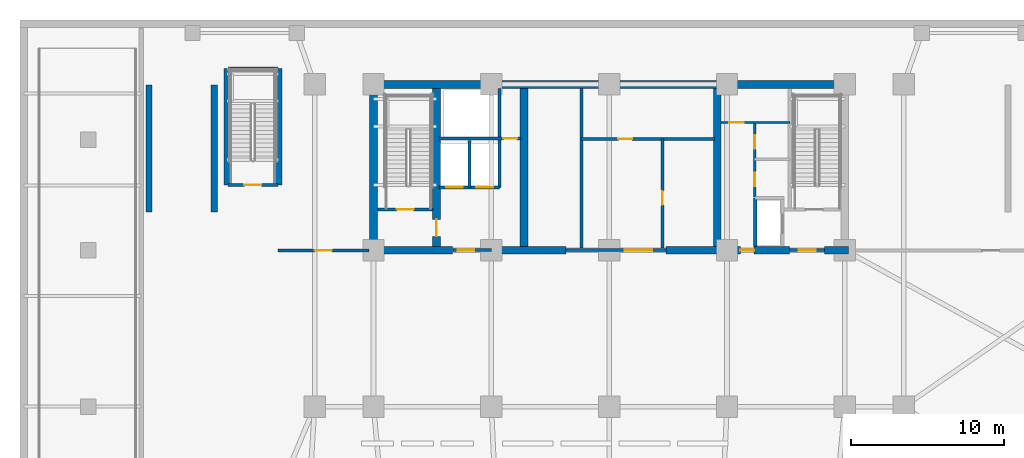
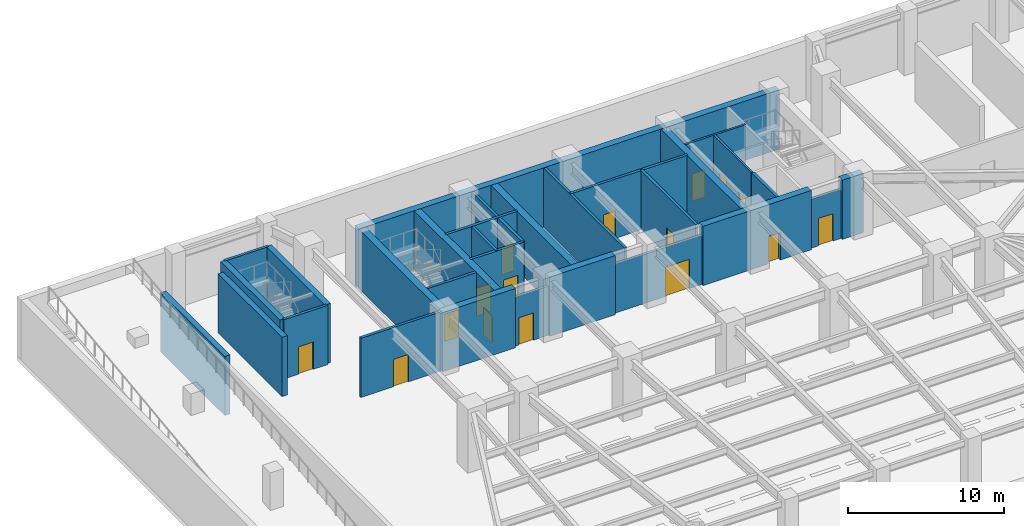
# One storey, part 3 of 8: 30 walls, 16 doors, 16 openings.
"""IFC4 building model written with IfcOpenShell, lengths in metres."""

from ifc_helpers import new_model, si_unit, direction, frame, frame_2d, origin, place, context, subcontext, project, spatial, rectangle, extrude, material, layer, layer_set, type_object, element, fill, save


model = new_model("IFC4")

# Units and contexts
model_context = context("Model", 3, precision=1e-05, world=origin(), true_north=direction((0.0, 1.0)))
body_context = subcontext(model_context, "Body", "Model", "MODEL_VIEW")
ifc_project = project(units=[si_unit("LENGTHUNIT", "METRE"), si_unit("AREAUNIT", "SQUARE_METRE"), si_unit("VOLUMEUNIT", "CUBIC_METRE"), si_unit("PLANEANGLEUNIT", "RADIAN"), si_unit("MASSUNIT", "GRAM", prefix="KILO")], contexts=[model_context])

# Site, building, storey
site_placement = place(None, origin())
site = spatial("IfcSite", under=ifc_project, at=site_placement, CompositionType="ELEMENT")
building_placement = place(site_placement, origin())
building = spatial("IfcBuilding", under=site, at=building_placement, Name="Yelkora Congress Tower", CompositionType="ELEMENT")
storey_placement = place(building_placement, frame((0.0, 0.0, -5.0)))
storey = spatial("IfcBuildingStorey", under=building, at=storey_placement, Name="B01", CompositionType="ELEMENT", Elevation=-5.0)

# Walls
ifc_material_1 = material(Name="Concrete C50/60", Category="concrete")
ifc_layer_1 = layer(ifc_material_1, 0.39990234375)
ifc_layer_set_1 = layer_set([ifc_layer_1], Name="Concrete C50/60")
wall_type_1 = type_object("IfcWallType", Name="WALL-CORE-INT-400", PredefinedType="SHEAR", material=ifc_layer_set_1)
for number, where, z_axis, x_axis, name in (
    (1, (8.39990234375, 37.89990234375, 0.0), (0.0, 0.0, 1.0), (0.0, 1.0, 0.0), "B01 STP1 West Shear Wall"),
    (2, (12.659912109375, 37.89990234375, 0.0), (0.0, 0.0, 1.0), (0.0, 1.0, 0.0), "B01 STP1 East Shear Wall"),
):
    element("IfcWall", number, at=place(storey_placement, frame(where, z_axis=z_axis, x_axis=x_axis)), inside=storey, type_object=wall_type_1, Name=name, PredefinedType="SHEAR", context=body_context, shape_type="SweptSolid", body=[
        extrude(rectangle(XDim=8.25, YDim=0.39990234375, at=frame_2d((4.125, 0.0))), origin(), (0.0, 0.0, 1.0), 4.64990234375),
    ])
for number, where, z_axis, x_axis, name in (
    (3, (13.5, 39.64990234375, 0.0), (0.0, 0.0, 1.0), (0.0, 1.0, 0.0), "B01 STB1 W Shear Wall"),
    (4, (16.860107421875, 39.64990234375, 0.0), (0.0, 0.0, 1.0), (0.0, 1.0, 0.0), "B01 STB1 E Shear Wall"),
):
    element("IfcWall", number, at=place(storey_placement, frame(where, z_axis=z_axis, x_axis=x_axis)), inside=storey, type_object=wall_type_1, Name=name, PredefinedType="SHEAR", context=body_context, shape_type="SweptSolid", body=[
        extrude(rectangle(XDim=7.60009765625, YDim=0.39990234375, at=frame_2d((3.800048828125, 0.0))), origin(), (0.0, 0.0, 1.0), 4.64990234375),
    ])
ifc_material_2 = material(Name="Concrete C60/75", Category="concrete")
ifc_layer_2 = layer(ifc_material_2, 0.5)
ifc_layer_set_2 = layer_set([ifc_layer_2], Name="Concrete C60/75")
wall_type_2 = type_object("IfcWallType", Name="WALL-CORE-INT-500", PredefinedType="SHEAR", material=ifc_layer_set_2)
wall_1_placement = place(storey_placement, frame((22.7900390625, 46.199951171875, 0.0), z_axis=(0.0, 0.0, 1.0), x_axis=(1.0, 0.0, 0.0)))
element("IfcWall", 5, at=wall_1_placement, inside=storey, type_object=wall_type_2, Name="B01 Rear Core North Shear Wall", PredefinedType="SHEAR", context=body_context, shape_type="SweptSolid", body=[
    extrude(rectangle(XDim=31.219970703125, YDim=0.5, at=frame_2d((15.60986328125, 0.0))), origin(), (0.0, 0.0, 1.0), 4.64990234375),
])
wall_2_placement = place(storey_placement, frame((22.7900390625, 35.39990234375, 0.0), z_axis=(0.0, 0.0, 1.0), x_axis=(1.0, 0.0, 0.0)))
element("IfcWall", 6, at=wall_2_placement, inside=storey, type_object=wall_type_2, Name="B01 Rear Core South-West Shear Wall", PredefinedType="SHEAR", context=body_context, shape_type="SweptSolid", body=[
    extrude(rectangle(XDim=5.409912109375, YDim=0.5, at=frame_2d((2.705078125, 0.0))), origin(), (0.0, 0.0, 1.0), 4.64990234375),
])
wall_3_placement = place(storey_placement, frame((30.719970703125, 35.39990234375, 0.0), z_axis=(0.0, 0.0, 1.0), x_axis=(1.0, 0.0, 0.0)))
element("IfcWall", 7, at=wall_3_placement, inside=storey, type_object=wall_type_2, Name="B01 Rear Core South-Center Shear Pier", PredefinedType="SHEAR", context=body_context, shape_type="SweptSolid", body=[
    extrude(rectangle(XDim=4.880126953125, YDim=0.5, at=frame_2d((2.43994140625, 0.0))), origin(), (0.0, 0.0, 1.0), 4.64990234375),
])

# Wall, opening, door
wall_4_placement = place(storey_placement, frame((42.10009765625, 35.39990234375, 0.0), z_axis=(0.0, 0.0, 1.0), x_axis=(1.0, 0.0, 0.0)))
wall_4 = element("IfcWall", 8, at=wall_4_placement, inside=storey, type_object=wall_type_2, Name="B01 Rear Core South-East Shear Wall A", PredefinedType="SHEAR", context=body_context, shape_type="SweptSolid", body=[
    extrude(rectangle(XDim=8.0498046875, YDim=0.5, at=frame_2d((4.02490234375, 0.0))), origin(), (0.0, 0.0, 1.0), 4.64990234375),
])
opening_1_placement = place(wall_4_placement, frame((4.85009765625, 0.0, 0.0)))
opening_1 = element("IfcOpeningElement", 9, at=opening_1_placement, cuts=wall_4, Name="Opening DR-090F6", PredefinedType="OPENING", context=body_context, shape_type="SweptSolid", body=[
    extrude(rectangle(XDim=0.89990234375, YDim=2.14990234375, at=frame_2d((0.449951171875, 1.074951171875))), frame((0.0, 0.260009765625, 0.0), z_axis=(0.0, -1.0, 0.0), x_axis=(1.0, 0.0, 0.0)), (0.0, 0.0, 1.0), 0.52001953125),
])
ifc_material_3 = material(Name="Painted steel riser fire door leaf", Category="steel")
door_type_1 = type_object("IfcDoorType", Name="DOOR-FD60-900", OperationType="NOTDEFINED", PredefinedType="DOOR", material=ifc_material_3)
door_1_placement = place(opening_1_placement, origin())
door_1 = element("IfcDoor", 10, at=door_1_placement, inside=storey, type_object=door_type_1, Name="B01 Core Washroom Lobby Door", OperationType="SINGLE_SWING_RIGHT", OverallHeight=2.14990234375, OverallWidth=0.89990234375, PredefinedType="DOOR", context=body_context, shape_type="SweptSolid", body=[
    extrude(rectangle(XDim=0.89990234375, YDim=2.14990234375, at=frame_2d((0.449951171875, 1.074951171875))), frame((0.0, 0.02490234375, 0.0), z_axis=(0.0, -1.0, 0.0), x_axis=(1.0, 0.0, 0.0)), (0.0, 0.0, 1.0), 0.050048828125),
])
fill(opening_1, door_1)

# Walls
wall_5_placement = place(storey_placement, frame((52.449951171875, 35.39990234375, 0.0), z_axis=(0.0, 0.0, 1.0), x_axis=(1.0, 0.0, 0.0)))
element("IfcWall", 11, at=wall_5_placement, inside=storey, type_object=wall_type_2, Name="B01 Rear Core South-East Shear Wall B", PredefinedType="SHEAR", context=body_context, shape_type="SweptSolid", body=[
    extrude(rectangle(XDim=1.56005859375, YDim=0.5, at=frame_2d((0.780029296875, 0.0))), origin(), (0.0, 0.0, 1.0), 4.64990234375),
])
wall_6_placement = place(storey_placement, frame((23.0400390625, 35.64990234375, 0.0), z_axis=(0.0, 0.0, 1.0), x_axis=(0.0, 1.0, 0.0)))
element("IfcWall", 12, at=wall_6_placement, inside=storey, type_object=wall_type_2, Name="B01 Rear Core Cross Shear Wall W", PredefinedType="SHEAR", context=body_context, shape_type="SweptSolid", body=[
    extrude(rectangle(XDim=10.300048828125, YDim=0.5, at=frame_2d((5.14990234375, 0.0))), origin(), (0.0, 0.0, 1.0), 4.64990234375),
])

# Wall, opening, door
wall_7_placement = place(storey_placement, frame((27.14990234375, 35.64990234375, 0.0), z_axis=(0.0, 0.0, 1.0), x_axis=(0.0, 1.0, 0.0)))
wall_7 = element("IfcWall", 13, at=wall_7_placement, inside=storey, type_object=wall_type_2, Name="B01 Rear Core Cross Shear Wall C1", PredefinedType="SHEAR", context=body_context, shape_type="SweptSolid", body=[
    extrude(rectangle(XDim=10.300048828125, YDim=0.5, at=frame_2d((5.14990234375, 0.0))), origin(), (0.0, 0.0, 1.0), 4.64990234375),
])
opening_2_placement = place(wall_7_placement, frame((0.64990234375, 0.0, 0.0)))
opening_2 = element("IfcOpeningElement", 14, at=opening_2_placement, cuts=wall_7, Name="Opening DR-110F9", PredefinedType="OPENING", context=body_context, shape_type="SweptSolid", body=[
    extrude(rectangle(XDim=1.10009765625, YDim=2.14990234375, at=frame_2d((0.550048828125, 1.074951171875))), frame((0.0, 0.260009765625, 0.0), z_axis=(0.0, -1.0, 0.0), x_axis=(1.0, 0.0, 0.0)), (0.0, 0.0, 1.0), 0.52001953125),
])
ifc_material_4 = material(Name="Galvanised steel fire door leaf", Category="steel")
door_type_2 = type_object("IfcDoorType", Name="DOOR-FD90-1100", OperationType="NOTDEFINED", PredefinedType="DOOR", material=ifc_material_4)
door_2_placement = place(opening_2_placement, origin())
door_2 = element("IfcDoor", 15, at=door_2_placement, inside=storey, type_object=door_type_2, Name="B01 Firefighting Stair Transfer Door", OperationType="SINGLE_SWING_LEFT", OverallHeight=2.14990234375, OverallWidth=1.10009765625, PredefinedType="DOOR", context=body_context, shape_type="SweptSolid", body=[
    extrude(rectangle(XDim=1.10009765625, YDim=2.14990234375, at=frame_2d((0.550048828125, 1.074951171875))), frame((0.0, 0.02490234375, 0.0), z_axis=(0.0, -1.0, 0.0), x_axis=(1.0, 0.0, 0.0)), (0.0, 0.0, 1.0), 0.050048828125),
])
fill(opening_2, door_2)

# Walls
for number, where, z_axis, x_axis, name in (
    (16, (32.85009765625, 35.64990234375, 0.0), (0.0, 0.0, 1.0), (0.0, 1.0, 0.0), "B01 Rear Core Cross Shear Wall C2"),
    (17, (45.449951171875, 35.64990234375, 0.0), (0.0, 0.0, 1.0), (0.0, 1.0, 0.0), "B01 Rear Core Cross Shear Wall C3"),
):
    element("IfcWall", number, at=place(storey_placement, frame(where, z_axis=z_axis, x_axis=x_axis)), inside=storey, type_object=wall_type_2, Name=name, PredefinedType="SHEAR", context=body_context, shape_type="SweptSolid", body=[
        extrude(rectangle(XDim=10.300048828125, YDim=0.5, at=frame_2d((5.14990234375, 0.0))), origin(), (0.0, 0.0, 1.0), 4.64990234375),
    ])

# Wall, opening, door
ifc_material_5 = material(Name="Acoustic metal-stud gypsum partition", Category="gypsum")
ifc_layer_3 = layer(ifc_material_5, 0.14990234375)
ifc_layer_set_3 = layer_set([ifc_layer_3], Name="Acoustic metal-stud gypsum partition")
wall_type_3 = type_object("IfcWallType", Name="WALL-INT-150-NR", PredefinedType="PARTITIONING", material=ifc_layer_set_3)
wall_8_placement = place(storey_placement, frame((45.679931640625, 43.719970703125, 0.0), z_axis=(0.0, 0.0, 1.0), x_axis=(1.0, 0.0, 0.0)))
wall_8 = element("IfcWall", 18, at=wall_8_placement, inside=storey, type_object=wall_type_3, Name="B01 Partition Wall 16", PredefinedType="PARTITIONING", context=body_context, shape_type="SweptSolid", body=[
    extrude(rectangle(XDim=4.5, YDim=0.14990234375, at=frame_2d((2.25, 0.0))), origin(), (0.0, 0.0, 1.0), 4.64990234375),
])
opening_3_placement = place(wall_8_placement, frame((0.550048828125, 0.0, 0.0)))
opening_3 = element("IfcOpeningElement", 19, at=opening_3_placement, cuts=wall_8, Name="Opening DR-095N", PredefinedType="OPENING", context=body_context, shape_type="SweptSolid", body=[
    extrude(rectangle(XDim=0.949951171875, YDim=2.14990234375, at=frame_2d((0.47509765625, 1.074951171875))), frame((0.0, 0.0849609375, 0.0), z_axis=(0.0, -1.0, 0.0), x_axis=(1.0, 0.0, 0.0)), (0.0, 0.0, 1.0), 0.169921875),
])
ifc_material_6 = material(Name="Acoustic laminated timber office door", Category="wood")
door_type_3 = type_object("IfcDoorType", Name="DOOR-INT-950", OperationType="NOTDEFINED", PredefinedType="DOOR", material=ifc_material_6)
door_3_placement = place(opening_3_placement, origin())
door_3 = element("IfcDoor", 20, at=door_3_placement, inside=storey, type_object=door_type_3, Name="B01 Accessible WC Door", OperationType="SINGLE_SWING_RIGHT", OverallHeight=2.14990234375, OverallWidth=0.949951171875, PredefinedType="DOOR", context=body_context, shape_type="SweptSolid", body=[
    extrude(rectangle(XDim=0.949951171875, YDim=2.14990234375, at=frame_2d((0.47509765625, 1.074951171875))), frame((0.0, 0.02490234375, 0.0), z_axis=(0.0, -1.0, 0.0), x_axis=(1.0, 0.0, 0.0)), (0.0, 0.0, 1.0), 0.050048828125),
])
fill(opening_3, door_3)

# Wall, openings, doors
wall_9_placement = place(storey_placement, frame((47.8798828125, 38.85009765625, 0.0), z_axis=(0.0, 0.0, 1.0), x_axis=(0.0, 1.0, 0.0)))
wall_9 = element("IfcWall", 21, at=wall_9_placement, inside=storey, type_object=wall_type_3, Name="B01 Partition Wall 18", PredefinedType="PARTITIONING", context=body_context, shape_type="SweptSolid", body=[
    extrude(rectangle(XDim=4.869873046875, YDim=0.14990234375, at=frame_2d((2.43505859375, 0.0))), origin(), (0.0, 0.0, 1.0), 4.64990234375),
])
opening_4_placement = place(wall_9_placement, frame((0.699951171875, 0.0, 0.0)))
opening_4 = element("IfcOpeningElement", 22, at=opening_4_placement, cuts=wall_9, Name="Opening DR-090N", PredefinedType="OPENING", context=body_context, shape_type="SweptSolid", body=[
    extrude(rectangle(XDim=0.89990234375, YDim=2.14990234375, at=frame_2d((0.449951171875, 1.074951171875))), frame((0.0, 0.0849609375, 0.0), z_axis=(0.0, -1.0, 0.0), x_axis=(1.0, 0.0, 0.0)), (0.0, 0.0, 1.0), 0.169921875),
])
opening_5_placement = place(wall_9_placement, frame((3.14990234375, 0.0, 0.0)))
opening_5 = element("IfcOpeningElement", 23, at=opening_5_placement, cuts=wall_9, Name="Opening DR-090N", PredefinedType="OPENING", context=body_context, shape_type="SweptSolid", body=[
    extrude(rectangle(XDim=0.89990234375, YDim=2.14990234375, at=frame_2d((0.449951171875, 1.074951171875))), frame((0.0, 0.0849609375, 0.0), z_axis=(0.0, -1.0, 0.0), x_axis=(1.0, 0.0, 0.0)), (0.0, 0.0, 1.0), 0.169921875),
])
ifc_material_7 = material(Name="Moisture-resistant laminate door leaf", Category="wood")
door_type_4 = type_object("IfcDoorType", Name="DOOR-INT-900", OperationType="NOTDEFINED", PredefinedType="DOOR", material=ifc_material_7)
door_4_placement = place(opening_4_placement, origin())
door_4 = element("IfcDoor", 24, at=door_4_placement, inside=storey, type_object=door_type_4, Name="B01 Male WC Door", OperationType="SINGLE_SWING_LEFT", OverallHeight=2.14990234375, OverallWidth=0.89990234375, PredefinedType="DOOR", context=body_context, shape_type="SweptSolid", body=[
    extrude(rectangle(XDim=0.89990234375, YDim=2.14990234375, at=frame_2d((0.449951171875, 1.074951171875))), frame((0.0, 0.02490234375, 0.0), z_axis=(0.0, -1.0, 0.0), x_axis=(1.0, 0.0, 0.0)), (0.0, 0.0, 1.0), 0.050048828125),
])
fill(opening_4, door_4)
door_5_placement = place(opening_5_placement, origin())
door_5 = element("IfcDoor", 25, at=door_5_placement, inside=storey, type_object=door_type_4, Name="B01 Female WC Door", OperationType="SINGLE_SWING_RIGHT", OverallHeight=2.14990234375, OverallWidth=0.89990234375, PredefinedType="DOOR", context=body_context, shape_type="SweptSolid", body=[
    extrude(rectangle(XDim=0.89990234375, YDim=2.14990234375, at=frame_2d((0.449951171875, 1.074951171875))), frame((0.0, 0.02490234375, 0.0), z_axis=(0.0, -1.0, 0.0), x_axis=(1.0, 0.0, 0.0)), (0.0, 0.0, 1.0), 0.050048828125),
])
fill(opening_5, door_5)

# Wall, opening, door
ifc_material_8 = material(Name="Autoclaved aerated concrete blockwork", Category="masonry")
ifc_layer_4 = layer(ifc_material_8, 0.199951171875)
ifc_layer_set_4 = layer_set([ifc_layer_4], Name="Autoclaved aerated concrete blockwork")
wall_type_4 = type_object("IfcWallType", Name="WALL-INT-200-R120", PredefinedType="PARTITIONING", material=ifc_layer_set_4)
wall_10_placement = place(storey_placement, frame((23.300048828125, 38.050048828125, 0.0), z_axis=(0.0, 0.0, 1.0), x_axis=(1.0, 0.0, 0.0)))
wall_10 = element("IfcWall", 26, at=wall_10_placement, inside=storey, type_object=wall_type_4, Name="B01 Stair ST-01 Enclosure Wall", PredefinedType="PARTITIONING", context=body_context, shape_type="SweptSolid", body=[
    extrude(rectangle(XDim=3.619873046875, YDim=0.199951171875, at=frame_2d((1.81005859375, 0.0))), origin(), (0.0, 0.0, 1.0), 4.64990234375),
])
opening_6_placement = place(wall_10_placement, frame((1.260009765625, 0.0, 0.0)))
opening_6 = element("IfcOpeningElement", 27, at=opening_6_placement, cuts=wall_10, Name="Opening DR-110F9", PredefinedType="OPENING", context=body_context, shape_type="SweptSolid", body=[
    extrude(rectangle(XDim=1.10009765625, YDim=2.14990234375, at=frame_2d((0.550048828125, 1.074951171875))), frame((0.0, 0.10986328125, 0.0), z_axis=(0.0, -1.0, 0.0), x_axis=(1.0, 0.0, 0.0)), (0.0, 0.0, 1.0), 0.219970703125),
])
door_6_placement = place(opening_6_placement, origin())
door_6 = element("IfcDoor", 28, at=door_6_placement, inside=storey, type_object=door_type_2, Name="B01 Stair ST-01 Entry Door", OperationType="SINGLE_SWING_LEFT", OverallHeight=2.14990234375, OverallWidth=1.10009765625, PredefinedType="DOOR", context=body_context, shape_type="SweptSolid", body=[
    extrude(rectangle(XDim=1.10009765625, YDim=2.14990234375, at=frame_2d((0.550048828125, 1.074951171875))), frame((0.0, 0.02490234375, 0.0), z_axis=(0.0, -1.0, 0.0), x_axis=(1.0, 0.0, 0.0)), (0.0, 0.0, 1.0), 0.050048828125),
])
fill(opening_6, door_6)

wall_11_placement = place(storey_placement, frame((28.219970703125, 35.39990234375, 0.0), z_axis=(0.0, 0.0, 1.0), x_axis=(1.0, 0.0, 0.0)))
wall_11 = element("IfcWall", 29, at=wall_11_placement, inside=storey, type_object=wall_type_4, Name="B01 Firefighting Lobby South Wall", PredefinedType="PARTITIONING", context=body_context, shape_type="SweptSolid", body=[
    extrude(rectangle(XDim=2.5, YDim=0.199951171875, at=frame_2d((1.25, 0.0))), origin(), (0.0, 0.0, 1.0), 3.844970703125),
])
opening_7_placement = place(wall_11_placement, frame((0.300048828125, 0.0, 0.0)))
opening_7 = element("IfcOpeningElement", 30, at=opening_7_placement, cuts=wall_11, Name="Opening DR-110F9", PredefinedType="OPENING", context=body_context, shape_type="SweptSolid", body=[
    extrude(rectangle(XDim=1.10009765625, YDim=2.14990234375, at=frame_2d((0.550048828125, 1.074951171875))), frame((0.0, 0.10986328125, 0.0), z_axis=(0.0, -1.0, 0.0), x_axis=(1.0, 0.0, 0.0)), (0.0, 0.0, 1.0), 0.219970703125),
])
door_7_placement = place(opening_7_placement, origin())
door_7 = element("IfcDoor", 31, at=door_7_placement, inside=storey, type_object=door_type_2, Name="B01 Firefighting Lobby Corridor Door", OperationType="SINGLE_SWING_RIGHT", OverallHeight=2.14990234375, OverallWidth=1.10009765625, PredefinedType="DOOR", context=body_context, shape_type="SweptSolid", body=[
    extrude(rectangle(XDim=1.10009765625, YDim=2.14990234375, at=frame_2d((0.550048828125, 1.074951171875))), frame((0.0, 0.02490234375, 0.0), z_axis=(0.0, -1.0, 0.0), x_axis=(1.0, 0.0, 0.0)), (0.0, 0.0, 1.0), 0.050048828125),
])
fill(opening_7, door_7)

# Wall, openings, doors
wall_12_placement = place(storey_placement, frame((27.320068359375, 39.47998046875, 0.0), z_axis=(0.0, 0.0, 1.0), x_axis=(1.0, 0.0, 0.0)))
wall_12 = element("IfcWall", 32, at=wall_12_placement, inside=storey, type_object=wall_type_4, Name="B01 Firefighting Lift Front Wall", PredefinedType="PARTITIONING", context=body_context, shape_type="SweptSolid", body=[
    extrude(rectangle(XDim=3.93994140625, YDim=0.199951171875, at=frame_2d((1.969970703125, 0.0))), origin(), (0.0, 0.0, 1.0), 4.64990234375),
])
opening_8_placement = place(wall_12_placement, frame((0.449951171875, 0.0, 0.0)))
opening_8 = element("IfcOpeningElement", 33, at=opening_8_placement, cuts=wall_12, Name="Opening LD-FF11", PredefinedType="OPENING", context=body_context, shape_type="SweptSolid", body=[
    extrude(rectangle(XDim=1.10009765625, YDim=2.199951171875, at=frame_2d((0.550048828125, 1.10009765625))), frame((0.0, 0.10986328125, 0.0), z_axis=(0.0, -1.0, 0.0), x_axis=(1.0, 0.0, 0.0)), (0.0, 0.0, 1.0), 0.219970703125),
])
opening_9_placement = place(wall_12_placement, frame((2.409912109375, 0.0, 0.0)))
opening_9 = element("IfcOpeningElement", 34, at=opening_9_placement, cuts=wall_12, Name="Opening LD-FF11", PredefinedType="OPENING", context=body_context, shape_type="SweptSolid", body=[
    extrude(rectangle(XDim=1.10009765625, YDim=2.199951171875, at=frame_2d((0.550048828125, 1.10009765625))), frame((0.0, 0.10986328125, 0.0), z_axis=(0.0, -1.0, 0.0), x_axis=(1.0, 0.0, 0.0)), (0.0, 0.0, 1.0), 0.219970703125),
])
ifc_material_9 = material(Name="Brushed stainless steel 316L landing door", Category="steel")
door_type_5 = type_object("IfcDoorType", Name="DOOR-LIFT-FF-1100", OperationType="DOUBLE_DOOR_SLIDING", PredefinedType="DOOR", material=ifc_material_9)
door_8_placement = place(opening_8_placement, origin())
door_8 = element("IfcDoor", 35, at=door_8_placement, inside=storey, type_object=door_type_5, Name="Lift Landing Door LF-FF1 B01", OperationType="DOUBLE_DOOR_SLIDING", OverallHeight=2.199951171875, OverallWidth=1.10009765625, PredefinedType="DOOR", context=body_context, shape_type="SweptSolid", body=[
    extrude(rectangle(XDim=1.10009765625, YDim=2.199951171875, at=frame_2d((0.550048828125, 1.10009765625))), frame((0.0, 0.02490234375, 0.0), z_axis=(0.0, -1.0, 0.0), x_axis=(1.0, 0.0, 0.0)), (0.0, 0.0, 1.0), 0.050048828125),
])
fill(opening_8, door_8)
door_9_placement = place(opening_9_placement, origin())
door_9 = element("IfcDoor", 36, at=door_9_placement, inside=storey, type_object=door_type_5, Name="Lift Landing Door LF-FF2 B01", OperationType="DOUBLE_DOOR_SLIDING", OverallHeight=2.199951171875, OverallWidth=1.10009765625, PredefinedType="DOOR", context=body_context, shape_type="SweptSolid", body=[
    extrude(rectangle(XDim=1.10009765625, YDim=2.199951171875, at=frame_2d((0.550048828125, 1.10009765625))), frame((0.0, 0.02490234375, 0.0), z_axis=(0.0, -1.0, 0.0), x_axis=(1.0, 0.0, 0.0)), (0.0, 0.0, 1.0), 0.050048828125),
])
fill(opening_9, door_9)

# Walls
wall_13_placement = place(storey_placement, frame((29.300048828125, 39.47998046875, 0.0), z_axis=(0.0, 0.0, 1.0), x_axis=(0.0, 1.0, 0.0)))
element("IfcWall", 37, at=wall_13_placement, inside=storey, type_object=wall_type_4, Name="B01 Partition Wall 4", PredefinedType="PARTITIONING", context=body_context, shape_type="SweptSolid", body=[
    extrude(rectangle(XDim=3.070068359375, YDim=0.199951171875, at=frame_2d((1.53515625, 0.0))), origin(), (0.0, 0.0, 1.0), 4.64990234375),
])
wall_14_placement = place(storey_placement, frame((31.260009765625, 39.47998046875, 0.0), z_axis=(0.0, 0.0, 1.0), x_axis=(0.0, 1.0, 0.0)))
element("IfcWall", 38, at=wall_14_placement, inside=storey, type_object=wall_type_4, Name="B01 Partition Wall 5", PredefinedType="PARTITIONING", context=body_context, shape_type="SweptSolid", body=[
    extrude(rectangle(XDim=6.43994140625, YDim=0.199951171875, at=frame_2d((3.219970703125, 0.0))), origin(), (0.0, 0.0, 1.0), 4.64990234375),
])

# Wall, opening, door
wall_15_placement = place(storey_placement, frame((27.320068359375, 42.679931640625, 0.0), z_axis=(0.0, 0.0, 1.0), x_axis=(1.0, 0.0, 0.0)))
wall_15 = element("IfcWall", 39, at=wall_15_placement, inside=storey, type_object=wall_type_4, Name="B01 Smoke Riser South Wall", PredefinedType="PARTITIONING", context=body_context, shape_type="SweptSolid", body=[
    extrude(rectangle(XDim=5.329833984375, YDim=0.199951171875, at=frame_2d((2.6650390625, 0.0))), origin(), (0.0, 0.0, 1.0), 4.64990234375),
])
opening_10_placement = place(wall_15_placement, frame((4.179931640625, 0.0, 0.0)))
opening_10 = element("IfcOpeningElement", 40, at=opening_10_placement, cuts=wall_15, Name="Opening DR-090F6", PredefinedType="OPENING", context=body_context, shape_type="SweptSolid", body=[
    extrude(rectangle(XDim=0.89990234375, YDim=2.14990234375, at=frame_2d((0.449951171875, 1.074951171875))), frame((0.0, 0.10986328125, 0.0), z_axis=(0.0, -1.0, 0.0), x_axis=(1.0, 0.0, 0.0)), (0.0, 0.0, 1.0), 0.219970703125),
])
door_10_placement = place(opening_10_placement, origin())
door_10 = element("IfcDoor", 41, at=door_10_placement, inside=storey, type_object=door_type_1, Name="B01 Riser Access Door", OperationType="SINGLE_SWING_LEFT", OverallHeight=2.14990234375, OverallWidth=0.89990234375, PredefinedType="DOOR", context=body_context, shape_type="SweptSolid", body=[
    extrude(rectangle(XDim=0.89990234375, YDim=2.14990234375, at=frame_2d((0.449951171875, 1.074951171875))), frame((0.0, 0.02490234375, 0.0), z_axis=(0.0, -1.0, 0.0), x_axis=(1.0, 0.0, 0.0)), (0.0, 0.0, 1.0), 0.050048828125),
])
fill(opening_10, door_10)

wall_16_placement = place(storey_placement, frame((35.60009765625, 35.39990234375, 0.0), z_axis=(0.0, 0.0, 1.0), x_axis=(1.0, 0.0, 0.0)))
wall_16 = element("IfcWall", 42, at=wall_16_placement, inside=storey, type_object=wall_type_4, Name="B01 Main Lift Lobby South Portal Wall", PredefinedType="PARTITIONING", context=body_context, shape_type="SweptSolid", body=[
    extrude(rectangle(XDim=6.5, YDim=0.199951171875, at=frame_2d((3.25, 0.0))), origin(), (0.0, 0.0, 1.0), 3.844970703125),
])
opening_11_placement = place(wall_16_placement, frame((3.800048828125, 0.0, 0.0)))
opening_11 = element("IfcOpeningElement", 43, at=opening_11_placement, cuts=wall_16, Name="Opening DR-180D", PredefinedType="OPENING", context=body_context, shape_type="SweptSolid", body=[
    extrude(rectangle(XDim=1.800048828125, YDim=2.300048828125, at=frame_2d((0.89990234375, 1.14990234375))), frame((0.0, 0.10986328125, 0.0), z_axis=(0.0, -1.0, 0.0), x_axis=(1.0, 0.0, 0.0)), (0.0, 0.0, 1.0), 0.219970703125),
])
ifc_material_10 = material(Name="Acoustic double congress hall doors", Category="wood")
door_type_6 = type_object("IfcDoorType", Name="DOOR-DBL-1800", OperationType="DOUBLE_DOOR_SINGLE_SWING", PredefinedType="DOOR", material=ifc_material_10)
door_11_placement = place(opening_11_placement, origin())
door_11 = element("IfcDoor", 44, at=door_11_placement, inside=storey, type_object=door_type_6, Name="B01 Main Lift Lobby Portal Door", OperationType="DOUBLE_DOOR_SINGLE_SWING", OverallHeight=2.300048828125, OverallWidth=1.800048828125, PredefinedType="DOOR", context=body_context, shape_type="SweptSolid", body=[
    extrude(rectangle(XDim=1.800048828125, YDim=2.300048828125, at=frame_2d((0.89990234375, 1.14990234375))), frame((0.0, 0.02490234375, 0.0), z_axis=(0.0, -1.0, 0.0), x_axis=(1.0, 0.0, 0.0)), (0.0, 0.0, 1.0), 0.050048828125),
])
fill(opening_11, door_11)

# Wall
wall_17_placement = place(storey_placement, frame((36.60009765625, 35.550048828125, 0.0), z_axis=(0.0, 0.0, 1.0), x_axis=(0.0, 1.0, 0.0)))
element("IfcWall", 45, at=wall_17_placement, inside=storey, type_object=wall_type_4, Name="B01 Partition Wall 8", PredefinedType="PARTITIONING", context=body_context, shape_type="SweptSolid", body=[
    extrude(rectangle(XDim=10.369873046875, YDim=0.199951171875, at=frame_2d((5.18505859375, 0.0))), origin(), (0.0, 0.0, 1.0), 4.64990234375),
])

# Wall, opening, door
wall_18_placement = place(storey_placement, frame((41.8798828125, 35.550048828125, 0.0), z_axis=(0.0, 0.0, 1.0), x_axis=(0.0, 1.0, 0.0)))
wall_18 = element("IfcWall", 46, at=wall_18_placement, inside=storey, type_object=wall_type_4, Name="B01 Partition Wall 9", PredefinedType="PARTITIONING", context=body_context, shape_type="SweptSolid", body=[
    extrude(rectangle(XDim=7.099853515625, YDim=0.199951171875, at=frame_2d((3.5498046875, 0.0))), origin(), (0.0, 0.0, 1.0), 4.64990234375),
])
opening_12_placement = place(wall_18_placement, frame((2.800048828125, 0.0, 0.0)))
opening_12 = element("IfcOpeningElement", 47, at=opening_12_placement, cuts=wall_18, Name="Opening DR-090F6", PredefinedType="OPENING", context=body_context, shape_type="SweptSolid", body=[
    extrude(rectangle(XDim=0.89990234375, YDim=2.14990234375, at=frame_2d((0.449951171875, 1.074951171875))), frame((0.0, 0.10986328125, 0.0), z_axis=(0.0, -1.0, 0.0), x_axis=(1.0, 0.0, 0.0)), (0.0, 0.0, 1.0), 0.219970703125),
])
door_12_placement = place(opening_12_placement, origin())
door_12 = element("IfcDoor", 48, at=door_12_placement, inside=storey, type_object=door_type_1, Name="B01 Interior Door 7", OperationType="SINGLE_SWING_LEFT", OverallHeight=2.14990234375, OverallWidth=0.89990234375, PredefinedType="DOOR", context=body_context, shape_type="SweptSolid", body=[
    extrude(rectangle(XDim=0.89990234375, YDim=2.14990234375, at=frame_2d((0.449951171875, 1.074951171875))), frame((0.0, 0.02490234375, 0.0), z_axis=(0.0, -1.0, 0.0), x_axis=(1.0, 0.0, 0.0)), (0.0, 0.0, 1.0), 0.050048828125),
])
fill(opening_12, door_12)

wall_19_placement = place(storey_placement, frame((36.60009765625, 42.64990234375, 0.0), z_axis=(0.0, 0.0, 1.0), x_axis=(1.0, 0.0, 0.0)))
wall_19 = element("IfcWall", 49, at=wall_19_placement, inside=storey, type_object=wall_type_4, Name="B01 Partition Wall 10", PredefinedType="PARTITIONING", context=body_context, shape_type="SweptSolid", body=[
    extrude(rectangle(XDim=8.679931640625, YDim=0.199951171875, at=frame_2d((4.33984375, 0.0))), origin(), (0.0, 0.0, 1.0), 4.64990234375),
])
opening_13_placement = place(wall_19_placement, frame((2.39990234375, 0.0, 0.0)))
opening_13 = element("IfcOpeningElement", 50, at=opening_13_placement, cuts=wall_19, Name="Opening DR-090F6", PredefinedType="OPENING", context=body_context, shape_type="SweptSolid", body=[
    extrude(rectangle(XDim=0.89990234375, YDim=2.14990234375, at=frame_2d((0.449951171875, 1.074951171875))), frame((0.0, 0.10986328125, 0.0), z_axis=(0.0, -1.0, 0.0), x_axis=(1.0, 0.0, 0.0)), (0.0, 0.0, 1.0), 0.219970703125),
])
door_13_placement = place(opening_13_placement, origin())
door_13 = element("IfcDoor", 51, at=door_13_placement, inside=storey, type_object=door_type_1, Name="B01 Interior Door 8", OperationType="SINGLE_SWING_RIGHT", OverallHeight=2.14990234375, OverallWidth=0.89990234375, PredefinedType="DOOR", context=body_context, shape_type="SweptSolid", body=[
    extrude(rectangle(XDim=0.89990234375, YDim=2.14990234375, at=frame_2d((0.449951171875, 1.074951171875))), frame((0.0, 0.02490234375, 0.0), z_axis=(0.0, -1.0, 0.0), x_axis=(1.0, 0.0, 0.0)), (0.0, 0.0, 1.0), 0.050048828125),
])
fill(opening_13, door_13)

wall_20_placement = place(storey_placement, frame((50.14990234375, 35.39990234375, 0.0), z_axis=(0.0, 0.0, 1.0), x_axis=(1.0, 0.0, 0.0)))
wall_20 = element("IfcWall", 52, at=wall_20_placement, inside=storey, type_object=wall_type_4, Name="B01 Partition Wall 12", PredefinedType="PARTITIONING", context=body_context, shape_type="SweptSolid", body=[
    extrude(rectangle(XDim=2.300048828125, YDim=0.199951171875, at=frame_2d((1.14990234375, 0.0))), origin(), (0.0, 0.0, 1.0), 3.844970703125),
])
opening_14_placement = place(wall_20_placement, frame((0.60009765625, 0.0, 0.0)))
opening_14 = element("IfcOpeningElement", 53, at=opening_14_placement, cuts=wall_20, Name="Opening DR-110F9", PredefinedType="OPENING", context=body_context, shape_type="SweptSolid", body=[
    extrude(rectangle(XDim=1.10009765625, YDim=2.14990234375, at=frame_2d((0.550048828125, 1.074951171875))), frame((0.0, 0.10986328125, 0.0), z_axis=(0.0, -1.0, 0.0), x_axis=(1.0, 0.0, 0.0)), (0.0, 0.0, 1.0), 0.219970703125),
])
door_14_placement = place(opening_14_placement, origin())
door_14 = element("IfcDoor", 54, at=door_14_placement, inside=storey, type_object=door_type_2, Name="B01 East Stair Lobby Door", OperationType="SINGLE_SWING_RIGHT", OverallHeight=2.14990234375, OverallWidth=1.10009765625, PredefinedType="DOOR", context=body_context, shape_type="SweptSolid", body=[
    extrude(rectangle(XDim=1.10009765625, YDim=2.14990234375, at=frame_2d((0.550048828125, 1.074951171875))), frame((0.0, 0.02490234375, 0.0), z_axis=(0.0, -1.0, 0.0), x_axis=(1.0, 0.0, 0.0)), (0.0, 0.0, 1.0), 0.050048828125),
])
fill(opening_14, door_14)

# Walls
wall_21_placement = place(storey_placement, frame((47.919921875, 35.64990234375, 0.0), z_axis=(0.0, 0.0, 1.0), x_axis=(0.0, 1.0, 0.0)))
element("IfcWall", 55, at=wall_21_placement, inside=storey, type_object=wall_type_4, Name="B01 Partition Wall 14", PredefinedType="PARTITIONING", context=body_context, shape_type="SweptSolid", body=[
    extrude(rectangle(XDim=3.150146484375, YDim=0.199951171875, at=frame_2d((1.5751953125, 0.0))), origin(), (0.0, 0.0, 1.0), 4.64990234375),
])
wall_22_placement = place(storey_placement, frame((13.550048828125, 47.25, 0.0), z_axis=(0.0, 0.0, 1.0), x_axis=(1.0, 0.0, 0.0)))
element("IfcWall", 56, at=wall_22_placement, inside=storey, type_object=wall_type_4, Name="B01 Partition Wall 19", PredefinedType="PARTITIONING", context=body_context, shape_type="SweptSolid", body=[
    extrude(rectangle(XDim=3.25, YDim=0.199951171875, at=frame_2d((1.625, 0.0))), origin(), (0.0, 0.0, 1.0), 4.64990234375),
])

# Wall, opening, door
wall_23_placement = place(storey_placement, frame((13.550048828125, 39.64990234375, 0.0), z_axis=(0.0, 0.0, 1.0), x_axis=(1.0, 0.0, 0.0)))
wall_23 = element("IfcWall", 57, at=wall_23_placement, inside=storey, type_object=wall_type_4, Name="B01 Partition Wall 20", PredefinedType="PARTITIONING", context=body_context, shape_type="SweptSolid", body=[
    extrude(rectangle(XDim=3.25, YDim=0.199951171875, at=frame_2d((1.625, 0.0))), origin(), (0.0, 0.0, 1.0), 4.64990234375),
])
opening_15_placement = place(wall_23_placement, frame((1.074951171875, 0.0, 0.0)))
opening_15 = element("IfcOpeningElement", 58, at=opening_15_placement, cuts=wall_23, Name="Opening DR-110F9", PredefinedType="OPENING", context=body_context, shape_type="SweptSolid", body=[
    extrude(rectangle(XDim=1.10009765625, YDim=2.14990234375, at=frame_2d((0.550048828125, 1.074951171875))), frame((0.0, 0.10986328125, 0.0), z_axis=(0.0, -1.0, 0.0), x_axis=(1.0, 0.0, 0.0)), (0.0, 0.0, 1.0), 0.219970703125),
])
door_15_placement = place(opening_15_placement, origin())
door_15 = element("IfcDoor", 59, at=door_15_placement, inside=storey, type_object=door_type_2, Name="B01 Interior Door 15", OperationType="SINGLE_SWING_LEFT", OverallHeight=2.14990234375, OverallWidth=1.10009765625, PredefinedType="DOOR", context=body_context, shape_type="SweptSolid", body=[
    extrude(rectangle(XDim=1.10009765625, YDim=2.14990234375, at=frame_2d((0.550048828125, 1.074951171875))), frame((0.0, 0.02490234375, 0.0), z_axis=(0.0, -1.0, 0.0), x_axis=(1.0, 0.0, 0.0)), (0.0, 0.0, 1.0), 0.050048828125),
])
fill(opening_15, door_15)

wall_24_placement = place(storey_placement, frame((16.800048828125, 35.3798828125, 0.0), z_axis=(0.0, 0.0, 1.0), x_axis=(1.0, 0.0, 0.0)))
wall_24 = element("IfcWall", 60, at=wall_24_placement, inside=storey, type_object=wall_type_4, Name="B01 Partition Wall 21", PredefinedType="PARTITIONING", context=body_context, shape_type="SweptSolid", body=[
    extrude(rectangle(XDim=5.949951171875, YDim=0.199951171875, at=frame_2d((2.97509765625, 0.0))), origin(), (0.0, 0.0, 1.0), 4.64990234375),
])
opening_16_placement = place(wall_24_placement, frame((2.425048828125, 0.0, 0.0)))
opening_16 = element("IfcOpeningElement", 61, at=opening_16_placement, cuts=wall_24, Name="Opening DR-110F6", PredefinedType="OPENING", context=body_context, shape_type="SweptSolid", body=[
    extrude(rectangle(XDim=1.10009765625, YDim=2.14990234375, at=frame_2d((0.550048828125, 1.074951171875))), frame((0.0, 0.10986328125, 0.0), z_axis=(0.0, -1.0, 0.0), x_axis=(1.0, 0.0, 0.0)), (0.0, 0.0, 1.0), 0.219970703125),
])
ifc_material_11 = material(Name="Fire-rated composite timber-steel leaf", Category="steel")
door_type_7 = type_object("IfcDoorType", Name="DOOR-FD60-1100", OperationType="NOTDEFINED", PredefinedType="DOOR", material=ifc_material_11)
door_16_placement = place(opening_16_placement, origin())
door_16 = element("IfcDoor", 62, at=door_16_placement, inside=storey, type_object=door_type_7, Name="B01 Interior Door 16", OperationType="SINGLE_SWING_RIGHT", OverallHeight=2.14990234375, OverallWidth=1.10009765625, PredefinedType="DOOR", context=body_context, shape_type="SweptSolid", body=[
    extrude(rectangle(XDim=1.10009765625, YDim=2.14990234375, at=frame_2d((0.550048828125, 1.074951171875))), frame((0.0, 0.02490234375, 0.0), z_axis=(0.0, -1.0, 0.0), x_axis=(1.0, 0.0, 0.0)), (0.0, 0.0, 1.0), 0.050048828125),
])
fill(opening_16, door_16)

save(model, "model.ifc")
